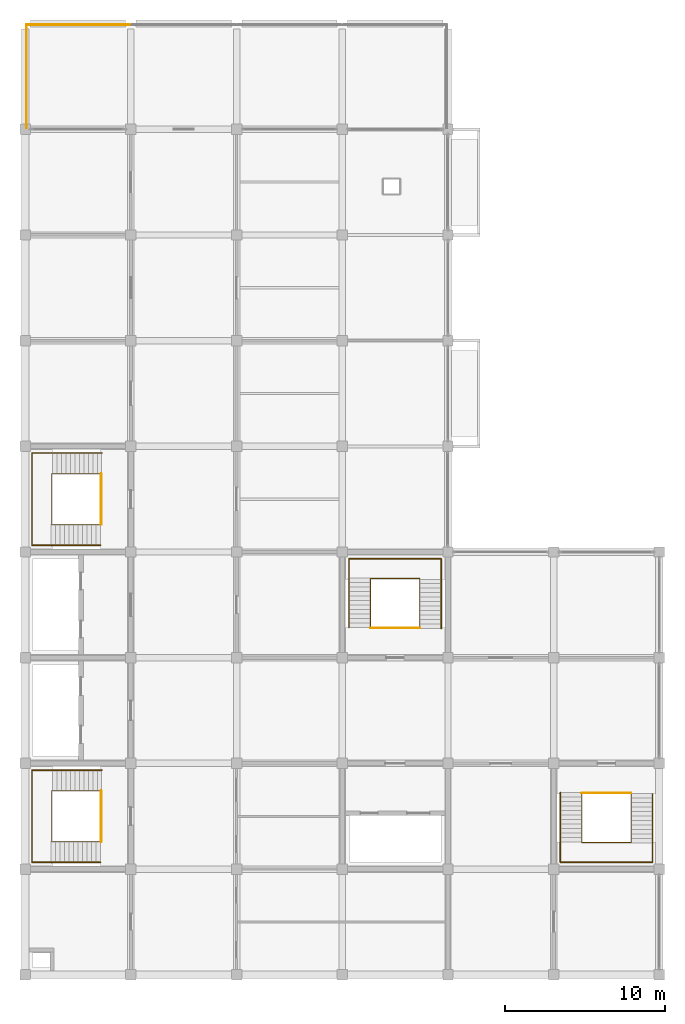
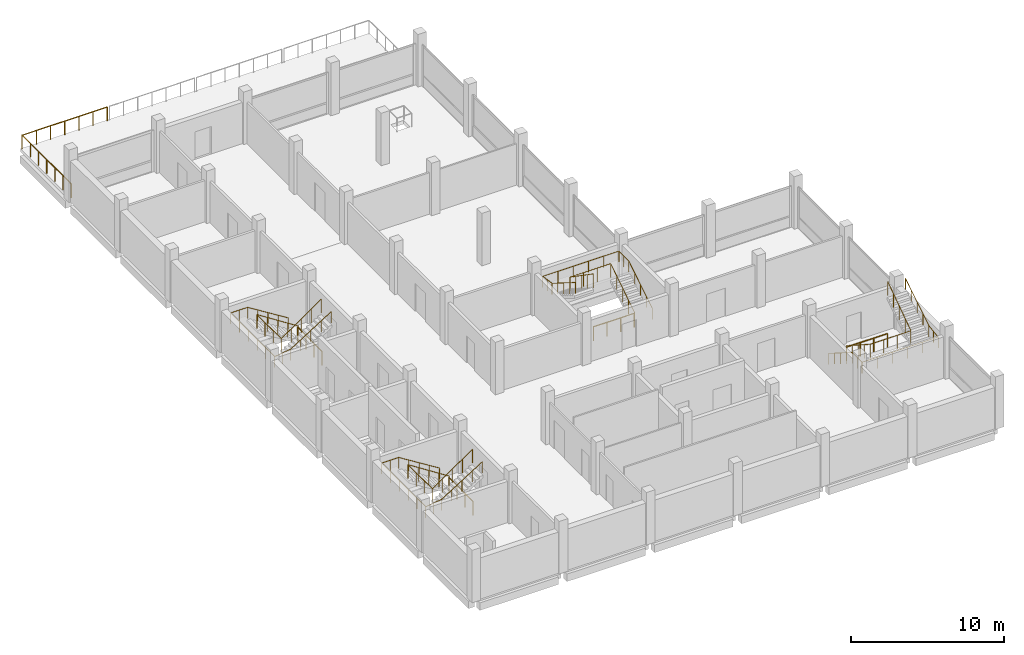
# One storey, part 10 of 11: 14 railings.
"""IFC4 building model written with IfcOpenShell, lengths in metres."""

from ifc_helpers import new_model, si_unit, direction, frame, origin, origin_2d, place, context, subcontext, project, spatial, circle, extrude, material, type_object, element, save


model = new_model("IFC4")

# Units and contexts
model_context = context("Model", 3, precision=1e-05, world=origin(), true_north=direction((0.0, 1.0)))
body_context = subcontext(model_context, "Body", "Model", "MODEL_VIEW")
ifc_project = project(units=[si_unit("LENGTHUNIT", "METRE"), si_unit("AREAUNIT", "SQUARE_METRE"), si_unit("VOLUMEUNIT", "CUBIC_METRE"), si_unit("PLANEANGLEUNIT", "RADIAN"), si_unit("MASSUNIT", "GRAM", prefix="KILO")], contexts=[model_context])

# Site, building, storey
site_placement = place(None, origin())
site = spatial("IfcSite", under=ifc_project, at=site_placement, CompositionType="ELEMENT")
building_placement = place(site_placement, origin())
building = spatial("IfcBuilding", under=site, at=building_placement, Name="Rusizi Kubbe Research Institute", CompositionType="ELEMENT")
storey_placement = place(building_placement, frame((0.0, 0.0, 56.39990234375)))
storey = spatial("IfcBuildingStorey", under=building, at=storey_placement, Name="L13", CompositionType="ELEMENT", Elevation=56.39990234375)

# Railings
ifc_material_1 = material(Name="Architectural Painted Steel Balustrade", Category="steel")
railing_type_1 = type_object("IfcRailingType", Name="GR-EXT", PredefinedType="GUARDRAIL", material=ifc_material_1)
railing_1_placement = place(storey_placement, frame((0.080078125, 59.320068359375, 0.0)))
element("IfcRailing", 1, at=railing_1_placement, inside=storey, type_object=railing_type_1, Name="Roof Terrace Guard L13-01", PredefinedType="GUARDRAIL", context=body_context, shape_type="SweptSolid", body=[
    extrude(circle(Radius=0.02392578125, at=origin_2d()), frame((0.0, 0.0, 1.09619140625), z_axis=(1.0, 0.0, 0.0), x_axis=(0.0, 1.0, 0.0)), (0.0, 0.0, 1.0), 6.43994140625),
    extrude(circle(Radius=0.02099609375, at=origin_2d()), origin(), (0.0, 0.0, 1.0), 1.072021484375),
    extrude(circle(Radius=0.02099609375, at=origin_2d()), frame((1.0732421875, 0.0, 0.0)), (0.0, 0.0, 1.0), 1.072021484375),
    extrude(circle(Radius=0.02099609375, at=origin_2d()), frame((2.146728515625, 0.0, 0.0)), (0.0, 0.0, 1.0), 1.072021484375),
    extrude(circle(Radius=0.02099609375, at=origin_2d()), frame((3.219970703125, 0.0, 0.0)), (0.0, 0.0, 1.0), 1.072021484375),
    extrude(circle(Radius=0.02099609375, at=origin_2d()), frame((4.293212890625, 0.0, 0.0)), (0.0, 0.0, 1.0), 1.072021484375),
    extrude(circle(Radius=0.02099609375, at=origin_2d()), frame((5.36669921875, 0.0, 0.0)), (0.0, 0.0, 1.0), 1.072021484375),
    extrude(circle(Radius=0.02099609375, at=origin_2d()), frame((6.43994140625, 0.0, 0.0)), (0.0, 0.0, 1.0), 1.072021484375),
])
railing_2_placement = place(storey_placement, frame((0.080078125, 52.8798828125, 0.0)))
element("IfcRailing", 2, at=railing_2_placement, inside=storey, type_object=railing_type_1, Name="Roof Terrace Guard L13-02", PredefinedType="GUARDRAIL", context=body_context, shape_type="SweptSolid", body=[
    extrude(circle(Radius=0.02392578125, at=origin_2d()), frame((0.0, 0.0, 1.09619140625), z_axis=(0.0, 1.0, 0.0), x_axis=(-1.0, 0.0, 0.0)), (0.0, 0.0, 1.0), 6.440185546875),
    extrude(circle(Radius=0.02099609375, at=origin_2d()), origin(), (0.0, 0.0, 1.0), 1.072021484375),
    extrude(circle(Radius=0.02099609375, at=origin_2d()), frame((0.0, 1.0732421875, 0.0)), (0.0, 0.0, 1.0), 1.072021484375),
    extrude(circle(Radius=0.02099609375, at=origin_2d()), frame((0.0, 2.146728515625, 0.0)), (0.0, 0.0, 1.0), 1.072021484375),
    extrude(circle(Radius=0.02099609375, at=origin_2d()), frame((0.0, 3.22021484375, 0.0)), (0.0, 0.0, 1.0), 1.072021484375),
    extrude(circle(Radius=0.02099609375, at=origin_2d()), frame((0.0, 4.29345703125, 0.0)), (0.0, 0.0, 1.0), 1.072021484375),
    extrude(circle(Radius=0.02099609375, at=origin_2d()), frame((0.0, 5.36669921875, 0.0)), (0.0, 0.0, 1.0), 1.072021484375),
    extrude(circle(Radius=0.02099609375, at=origin_2d()), frame((0.0, 6.440185546875, 0.0)), (0.0, 0.0, 1.0), 1.072021484375),
])
ifc_material_2 = material(Name="Painted Steel Stair Guard", Category="steel")
railing_type_2 = type_object("IfcRailingType", Name="GR-STAIR", PredefinedType="GUARDRAIL", material=ifc_material_2)
railing_3_placement = place(storey_placement, frame((4.780029296875, 11.489990234375, 0.087646484375)))
element("IfcRailing", 3, at=railing_3_placement, inside=storey, type_object=railing_type_2, Name="Stair Inner Well Guard ST1 L13", PredefinedType="GUARDRAIL", context=body_context, shape_type="SweptSolid", body=[
    extrude(circle(Radius=0.02392578125, at=origin_2d()), frame((0.0, 0.0, 1.09619140625), z_axis=(-0.840361383606, 0.0, 0.542026516828), x_axis=(0.0, -1.0, 0.0)), (0.0, 0.0, 1.0), 3.712890625),
    extrude(circle(Radius=0.02392578125, at=origin_2d()), frame((-3.1201171875, 0.0, 3.1083984375), z_axis=(0.0, -1.0, 0.0), x_axis=(1.0, 0.0, 0.0)), (0.0, 0.0, 1.0), 3.179931640625),
    extrude(circle(Radius=0.02392578125, at=origin_2d()), frame((-3.1201171875, -3.179931640625, 3.1083984375), z_axis=(0.82276741766, 0.0, 0.568378198419), x_axis=(0.0, 1.0, 0.0)), (0.0, 0.0, 1.0), 3.69482421875),
    extrude(circle(Radius=0.02099609375, at=origin_2d()), origin(), (0.0, 0.0, 1.0), 1.072021484375),
    extrude(circle(Radius=0.02099609375, at=origin_2d()), frame((-0.780029296875, 0.0, 0.503173828125)), (0.0, 0.0, 1.0), 1.072021484375),
    extrude(circle(Radius=0.02099609375, at=origin_2d()), frame((-1.56005859375, 0.0, 1.00634765625)), (0.0, 0.0, 1.0), 1.072021484375),
    extrude(circle(Radius=0.02099609375, at=origin_2d()), frame((-2.340087890625, 0.0, 1.50927734375)), (0.0, 0.0, 1.0), 1.072021484375),
    extrude(circle(Radius=0.02099609375, at=origin_2d()), frame((-3.1201171875, 0.0, 2.012451171875)), (0.0, 0.0, 1.0), 1.072021484375),
    extrude(circle(Radius=0.02099609375, at=origin_2d()), frame((-3.1201171875, -1.06005859375, 2.012451171875)), (0.0, 0.0, 1.0), 1.072021484375),
    extrude(circle(Radius=0.02099609375, at=origin_2d()), frame((-3.1201171875, -2.119873046875, 2.012451171875)), (0.0, 0.0, 1.0), 1.072021484375),
    extrude(circle(Radius=0.02099609375, at=origin_2d()), frame((-3.1201171875, -3.179931640625, 2.012451171875)), (0.0, 0.0, 1.0), 1.072021484375),
    extrude(circle(Radius=0.02099609375, at=origin_2d()), frame((-2.360107421875, -3.179931640625, 2.53759765625)), (0.0, 0.0, 1.0), 1.072021484375),
    extrude(circle(Radius=0.02099609375, at=origin_2d()), frame((-1.60009765625, -3.179931640625, 3.0625)), (0.0, 0.0, 1.0), 1.072021484375),
    extrude(circle(Radius=0.02099609375, at=origin_2d()), frame((-0.840087890625, -3.179931640625, 3.58740234375)), (0.0, 0.0, 1.0), 1.072021484375),
    extrude(circle(Radius=0.02099609375, at=origin_2d()), frame((-0.080078125, -3.179931640625, 4.112548828125)), (0.0, 0.0, 1.0), 1.072021484375),
])
railing_4_placement = place(storey_placement, frame((4.75, 11.489990234375, 0.0)))
element("IfcRailing", 4, at=railing_4_placement, inside=storey, type_object=railing_type_2, Name="Stair Floor Edge Guard ST1 L13", PredefinedType="GUARDRAIL", context=body_context, shape_type="SweptSolid", body=[
    extrude(circle(Radius=0.02392578125, at=origin_2d()), frame((0.0, 0.0, 1.09619140625), z_axis=(0.0, -1.0, 0.0), x_axis=(1.0, 0.0, 0.0)), (0.0, 0.0, 1.0), 3.179931640625),
    extrude(circle(Radius=0.02099609375, at=origin_2d()), origin(), (0.0, 0.0, 1.0), 1.072021484375),
    extrude(circle(Radius=0.02099609375, at=origin_2d()), frame((0.0, -1.06005859375, 0.0)), (0.0, 0.0, 1.0), 1.072021484375),
    extrude(circle(Radius=0.02099609375, at=origin_2d()), frame((0.0, -2.119873046875, 0.0)), (0.0, 0.0, 1.0), 1.072021484375),
    extrude(circle(Radius=0.02099609375, at=origin_2d()), frame((0.0, -3.179931640625, 0.0)), (0.0, 0.0, 1.0), 1.072021484375),
])
railing_5_placement = place(storey_placement, frame((4.780029296875, 31.2900390625, 0.087646484375)))
element("IfcRailing", 5, at=railing_5_placement, inside=storey, type_object=railing_type_2, Name="Stair Inner Well Guard ST2 L13", PredefinedType="GUARDRAIL", context=body_context, shape_type="SweptSolid", body=[
    extrude(circle(Radius=0.02392578125, at=origin_2d()), frame((0.0, 0.0, 1.09619140625), z_axis=(-0.840361383606, 0.0, 0.542026516828), x_axis=(0.0, -1.0, 0.0)), (0.0, 0.0, 1.0), 3.712890625),
    extrude(circle(Radius=0.02392578125, at=origin_2d()), frame((-3.1201171875, 0.0, 3.1083984375), z_axis=(0.0, -1.0, 0.0), x_axis=(1.0, 0.0, 0.0)), (0.0, 0.0, 1.0), 3.179931640625),
    extrude(circle(Radius=0.02392578125, at=origin_2d()), frame((-3.1201171875, -3.179931640625, 3.1083984375), z_axis=(0.82276741766, 0.0, 0.568378198419), x_axis=(0.0, 1.0, 0.0)), (0.0, 0.0, 1.0), 3.69482421875),
    extrude(circle(Radius=0.02099609375, at=origin_2d()), origin(), (0.0, 0.0, 1.0), 1.072021484375),
    extrude(circle(Radius=0.02099609375, at=origin_2d()), frame((-0.780029296875, 0.0, 0.503173828125)), (0.0, 0.0, 1.0), 1.072021484375),
    extrude(circle(Radius=0.02099609375, at=origin_2d()), frame((-1.56005859375, 0.0, 1.00634765625)), (0.0, 0.0, 1.0), 1.072021484375),
    extrude(circle(Radius=0.02099609375, at=origin_2d()), frame((-2.340087890625, 0.0, 1.50927734375)), (0.0, 0.0, 1.0), 1.072021484375),
    extrude(circle(Radius=0.02099609375, at=origin_2d()), frame((-3.1201171875, 0.0, 2.012451171875)), (0.0, 0.0, 1.0), 1.072021484375),
    extrude(circle(Radius=0.02099609375, at=origin_2d()), frame((-3.1201171875, -1.06005859375, 2.012451171875)), (0.0, 0.0, 1.0), 1.072021484375),
    extrude(circle(Radius=0.02099609375, at=origin_2d()), frame((-3.1201171875, -2.119873046875, 2.012451171875)), (0.0, 0.0, 1.0), 1.072021484375),
    extrude(circle(Radius=0.02099609375, at=origin_2d()), frame((-3.1201171875, -3.179931640625, 2.012451171875)), (0.0, 0.0, 1.0), 1.072021484375),
    extrude(circle(Radius=0.02099609375, at=origin_2d()), frame((-2.360107421875, -3.179931640625, 2.53759765625)), (0.0, 0.0, 1.0), 1.072021484375),
    extrude(circle(Radius=0.02099609375, at=origin_2d()), frame((-1.60009765625, -3.179931640625, 3.0625)), (0.0, 0.0, 1.0), 1.072021484375),
    extrude(circle(Radius=0.02099609375, at=origin_2d()), frame((-0.840087890625, -3.179931640625, 3.58740234375)), (0.0, 0.0, 1.0), 1.072021484375),
    extrude(circle(Radius=0.02099609375, at=origin_2d()), frame((-0.080078125, -3.179931640625, 4.112548828125)), (0.0, 0.0, 1.0), 1.072021484375),
])
railing_6_placement = place(storey_placement, frame((4.75, 31.2900390625, 0.0)))
element("IfcRailing", 6, at=railing_6_placement, inside=storey, type_object=railing_type_2, Name="Stair Floor Edge Guard ST2 L13", PredefinedType="GUARDRAIL", context=body_context, shape_type="SweptSolid", body=[
    extrude(circle(Radius=0.02392578125, at=origin_2d()), frame((0.0, 0.0, 1.09619140625), z_axis=(0.0, -1.0, 0.0), x_axis=(1.0, 0.0, 0.0)), (0.0, 0.0, 1.0), 3.179931640625),
    extrude(circle(Radius=0.02099609375, at=origin_2d()), origin(), (0.0, 0.0, 1.0), 1.072021484375),
    extrude(circle(Radius=0.02099609375, at=origin_2d()), frame((0.0, -1.06005859375, 0.0)), (0.0, 0.0, 1.0), 1.072021484375),
    extrude(circle(Radius=0.02099609375, at=origin_2d()), frame((0.0, -2.119873046875, 0.0)), (0.0, 0.0, 1.0), 1.072021484375),
    extrude(circle(Radius=0.02099609375, at=origin_2d()), frame((0.0, -3.179931640625, 0.0)), (0.0, 0.0, 1.0), 1.072021484375),
])
railing_7_placement = place(storey_placement, frame((24.639892578125, 21.6201171875, 0.087646484375)))
element("IfcRailing", 7, at=railing_7_placement, inside=storey, type_object=railing_type_2, Name="Stair Inner Well Guard ST3 L13", PredefinedType="GUARDRAIL", context=body_context, shape_type="SweptSolid", body=[
    extrude(circle(Radius=0.02392578125, at=origin_2d()), frame((0.0, 0.0, 1.09619140625), z_axis=(0.0, 0.840342063375, 0.542056469865), x_axis=(-1.0, 0.0, 0.0)), (0.0, 0.0, 1.0), 3.712646484375),
    extrude(circle(Radius=0.02392578125, at=origin_2d()), frame((0.0, 3.119873046875, 3.1083984375), z_axis=(-1.0, 0.0, 0.0), x_axis=(0.0, -1.0, 0.0)), (0.0, 0.0, 1.0), 3.079833984375),
    extrude(circle(Radius=0.02392578125, at=origin_2d()), frame((-3.079833984375, 3.119873046875, 3.1083984375), z_axis=(0.0, -0.82276741766, 0.568378198419), x_axis=(1.0, 0.0, 0.0)), (0.0, 0.0, 1.0), 3.69482421875),
    extrude(circle(Radius=0.02099609375, at=origin_2d()), origin(), (0.0, 0.0, 1.0), 1.072021484375),
    extrude(circle(Radius=0.02099609375, at=origin_2d()), frame((0.0, 0.780029296875, 0.503173828125)), (0.0, 0.0, 1.0), 1.072021484375),
    extrude(circle(Radius=0.02099609375, at=origin_2d()), frame((0.0, 1.56005859375, 1.00634765625)), (0.0, 0.0, 1.0), 1.072021484375),
    extrude(circle(Radius=0.02099609375, at=origin_2d()), frame((0.0, 2.33984375, 1.50927734375)), (0.0, 0.0, 1.0), 1.072021484375),
    extrude(circle(Radius=0.02099609375, at=origin_2d()), frame((0.0, 3.119873046875, 2.012451171875)), (0.0, 0.0, 1.0), 1.072021484375),
    extrude(circle(Radius=0.02099609375, at=origin_2d()), frame((-1.026611328125, 3.119873046875, 2.012451171875)), (0.0, 0.0, 1.0), 1.072021484375),
    extrude(circle(Radius=0.02099609375, at=origin_2d()), frame((-2.05322265625, 3.119873046875, 2.012451171875)), (0.0, 0.0, 1.0), 1.072021484375),
    extrude(circle(Radius=0.02099609375, at=origin_2d()), frame((-3.079833984375, 3.119873046875, 2.012451171875)), (0.0, 0.0, 1.0), 1.072021484375),
    extrude(circle(Radius=0.02099609375, at=origin_2d()), frame((-3.079833984375, 2.35986328125, 2.53759765625)), (0.0, 0.0, 1.0), 1.072021484375),
    extrude(circle(Radius=0.02099609375, at=origin_2d()), frame((-3.079833984375, 1.599853515625, 3.0625)), (0.0, 0.0, 1.0), 1.072021484375),
    extrude(circle(Radius=0.02099609375, at=origin_2d()), frame((-3.079833984375, 0.83984375, 3.58740234375)), (0.0, 0.0, 1.0), 1.072021484375),
    extrude(circle(Radius=0.02099609375, at=origin_2d()), frame((-3.079833984375, 0.079833984375, 4.112548828125)), (0.0, 0.0, 1.0), 1.072021484375),
])
railing_8_placement = place(storey_placement, frame((24.639892578125, 21.64990234375, 0.0)))
element("IfcRailing", 8, at=railing_8_placement, inside=storey, type_object=railing_type_2, Name="Stair Floor Edge Guard ST3 L13", PredefinedType="GUARDRAIL", context=body_context, shape_type="SweptSolid", body=[
    extrude(circle(Radius=0.02392578125, at=origin_2d()), frame((0.0, 0.0, 1.09619140625), z_axis=(-1.0, 0.0, 0.0), x_axis=(0.0, -1.0, 0.0)), (0.0, 0.0, 1.0), 3.079833984375),
    extrude(circle(Radius=0.02099609375, at=origin_2d()), origin(), (0.0, 0.0, 1.0), 1.072021484375),
    extrude(circle(Radius=0.02099609375, at=origin_2d()), frame((-1.026611328125, 0.0, 0.0)), (0.0, 0.0, 1.0), 1.072021484375),
    extrude(circle(Radius=0.02099609375, at=origin_2d()), frame((-2.05322265625, 0.0, 0.0)), (0.0, 0.0, 1.0), 1.072021484375),
    extrude(circle(Radius=0.02099609375, at=origin_2d()), frame((-3.079833984375, 0.0, 0.0)), (0.0, 0.0, 1.0), 1.072021484375),
])
railing_9_placement = place(storey_placement, frame((34.760009765625, 11.3798828125, 0.087646484375)))
element("IfcRailing", 9, at=railing_9_placement, inside=storey, type_object=railing_type_2, Name="Stair Inner Well Guard ST4 L13", PredefinedType="GUARDRAIL", context=body_context, shape_type="SweptSolid", body=[
    extrude(circle(Radius=0.02392578125, at=origin_2d()), frame((0.0, 0.0, 1.09619140625), z_axis=(0.0, -0.840342063375, 0.542056469865), x_axis=(1.0, 0.0, 0.0)), (0.0, 0.0, 1.0), 3.712646484375),
    extrude(circle(Radius=0.02392578125, at=origin_2d()), frame((0.0, -3.119873046875, 3.1083984375), z_axis=(1.0, 0.0, 0.0), x_axis=(0.0, 1.0, 0.0)), (0.0, 0.0, 1.0), 3.080078125),
    extrude(circle(Radius=0.02392578125, at=origin_2d()), frame((3.080078125, -3.119873046875, 3.1083984375), z_axis=(0.0, 0.82276741766, 0.568378198419), x_axis=(-1.0, 0.0, 0.0)), (0.0, 0.0, 1.0), 3.69482421875),
    extrude(circle(Radius=0.02099609375, at=origin_2d()), origin(), (0.0, 0.0, 1.0), 1.072021484375),
    extrude(circle(Radius=0.02099609375, at=origin_2d()), frame((0.0, -0.780029296875, 0.503173828125)), (0.0, 0.0, 1.0), 1.072021484375),
    extrude(circle(Radius=0.02099609375, at=origin_2d()), frame((0.0, -1.56005859375, 1.00634765625)), (0.0, 0.0, 1.0), 1.072021484375),
    extrude(circle(Radius=0.02099609375, at=origin_2d()), frame((0.0, -2.33984375, 1.50927734375)), (0.0, 0.0, 1.0), 1.072021484375),
    extrude(circle(Radius=0.02099609375, at=origin_2d()), frame((0.0, -3.119873046875, 2.012451171875)), (0.0, 0.0, 1.0), 1.072021484375),
    extrude(circle(Radius=0.02099609375, at=origin_2d()), frame((1.026611328125, -3.119873046875, 2.012451171875)), (0.0, 0.0, 1.0), 1.072021484375),
    extrude(circle(Radius=0.02099609375, at=origin_2d()), frame((2.053466796875, -3.119873046875, 2.012451171875)), (0.0, 0.0, 1.0), 1.072021484375),
    extrude(circle(Radius=0.02099609375, at=origin_2d()), frame((3.080078125, -3.119873046875, 2.012451171875)), (0.0, 0.0, 1.0), 1.072021484375),
    extrude(circle(Radius=0.02099609375, at=origin_2d()), frame((3.080078125, -2.35986328125, 2.53759765625)), (0.0, 0.0, 1.0), 1.072021484375),
    extrude(circle(Radius=0.02099609375, at=origin_2d()), frame((3.080078125, -1.599853515625, 3.0625)), (0.0, 0.0, 1.0), 1.072021484375),
    extrude(circle(Radius=0.02099609375, at=origin_2d()), frame((3.080078125, -0.83984375, 3.58740234375)), (0.0, 0.0, 1.0), 1.072021484375),
    extrude(circle(Radius=0.02099609375, at=origin_2d()), frame((3.080078125, -0.079833984375, 4.112548828125)), (0.0, 0.0, 1.0), 1.072021484375),
])
railing_10_placement = place(storey_placement, frame((34.760009765625, 11.35009765625, 0.0)))
element("IfcRailing", 10, at=railing_10_placement, inside=storey, type_object=railing_type_2, Name="Stair Floor Edge Guard ST4 L13", PredefinedType="GUARDRAIL", context=body_context, shape_type="SweptSolid", body=[
    extrude(circle(Radius=0.02392578125, at=origin_2d()), frame((0.0, 0.0, 1.09619140625), z_axis=(1.0, 0.0, 0.0), x_axis=(0.0, 1.0, 0.0)), (0.0, 0.0, 1.0), 3.080078125),
    extrude(circle(Radius=0.02099609375, at=origin_2d()), origin(), (0.0, 0.0, 1.0), 1.072021484375),
    extrude(circle(Radius=0.02099609375, at=origin_2d()), frame((1.026611328125, 0.0, 0.0)), (0.0, 0.0, 1.0), 1.072021484375),
    extrude(circle(Radius=0.02099609375, at=origin_2d()), frame((2.053466796875, 0.0, 0.0)), (0.0, 0.0, 1.0), 1.072021484375),
    extrude(circle(Radius=0.02099609375, at=origin_2d()), frame((3.080078125, 0.0, 0.0)), (0.0, 0.0, 1.0), 1.072021484375),
])
ifc_material_3 = material(Name="Brushed Stainless Steel Handrail", Category="steel")
railing_type_3 = type_object("IfcRailingType", Name="HR-STAIR", PredefinedType="HANDRAIL", material=ifc_material_3)
railing_11_placement = place(storey_placement, frame((4.780029296875, 12.780029296875, 0.175048828125)))
element("IfcRailing", 11, at=railing_11_placement, inside=storey, type_object=railing_type_3, Name="Stair Wall Handrail ST1 L13", PredefinedType="HANDRAIL", context=body_context, shape_type="SweptSolid", body=[
    extrude(circle(Radius=0.02392578125, at=origin_2d()), frame((0.0, 0.0, 0.8759765625), z_axis=(-0.847998304005, 0.0, 0.529998940003), x_axis=(0.0, -1.0, 0.0)), (0.0, 0.0, 1.0), 3.632080078125),
    extrude(circle(Radius=0.02392578125, at=origin_2d()), frame((-3.080078125, 0.0, 2.80078125), z_axis=(-1.0, 0.0, 0.0), x_axis=(0.0, -1.0, 0.0)), (0.0, 0.0, 1.0), 1.280029296875),
    extrude(circle(Radius=0.02392578125, at=origin_2d()), frame((-4.360107421875, 0.0, 2.80078125), z_axis=(0.0, -1.0, 0.0), x_axis=(1.0, 0.0, 0.0)), (0.0, 0.0, 1.0), 5.760009765625),
    extrude(circle(Radius=0.02392578125, at=origin_2d()), frame((-4.360107421875, -5.760009765625, 2.80078125), z_axis=(0.989630492691, 0.0, 0.143636652482), x_axis=(0.0, 1.0, 0.0)), (0.0, 0.0, 1.0), 1.21875),
    extrude(circle(Radius=0.02392578125, at=origin_2d()), frame((-3.154052734375, -5.760009765625, 2.97607421875), z_axis=(0.847525270172, 0.0, 0.530755043706), x_axis=(0.0, 1.0, 0.0)), (0.0, 0.0, 1.0), 3.626953125),
    extrude(circle(Radius=0.02099609375, at=origin_2d()), origin(), (0.0, 0.0, 1.0), 0.851806640625),
    extrude(circle(Radius=0.02099609375, at=origin_2d()), frame((-0.77001953125, 0.0, 0.481201171875)), (0.0, 0.0, 1.0), 0.851806640625),
    extrude(circle(Radius=0.02099609375, at=origin_2d()), frame((-1.5400390625, 0.0, 0.96240234375)), (0.0, 0.0, 1.0), 0.851806640625),
    extrude(circle(Radius=0.02099609375, at=origin_2d()), frame((-2.31005859375, 0.0, 1.44384765625)), (0.0, 0.0, 1.0), 0.851806640625),
    extrude(circle(Radius=0.02099609375, at=origin_2d()), frame((-3.080078125, 0.0, 1.925048828125)), (0.0, 0.0, 1.0), 0.851806640625),
    extrude(circle(Radius=0.02099609375, at=origin_2d()), frame((-3.72021484375, 0.0, 1.925048828125)), (0.0, 0.0, 1.0), 0.851806640625),
    extrude(circle(Radius=0.02099609375, at=origin_2d()), frame((-4.360107421875, 0.0, 1.925048828125)), (0.0, 0.0, 1.0), 0.851806640625),
    extrude(circle(Radius=0.02099609375, at=origin_2d()), frame((-4.360107421875, -1.152099609375, 1.925048828125)), (0.0, 0.0, 1.0), 0.851806640625),
    extrude(circle(Radius=0.02099609375, at=origin_2d()), frame((-4.360107421875, -2.303955078125, 1.925048828125)), (0.0, 0.0, 1.0), 0.851806640625),
    extrude(circle(Radius=0.02099609375, at=origin_2d()), frame((-4.360107421875, -3.4560546875, 1.925048828125)), (0.0, 0.0, 1.0), 0.851806640625),
    extrude(circle(Radius=0.02099609375, at=origin_2d()), frame((-4.360107421875, -4.60791015625, 1.925048828125)), (0.0, 0.0, 1.0), 0.851806640625),
    extrude(circle(Radius=0.02099609375, at=origin_2d()), frame((-4.360107421875, -5.760009765625, 1.925048828125)), (0.0, 0.0, 1.0), 0.851806640625),
    extrude(circle(Radius=0.02099609375, at=origin_2d()), frame((-3.757080078125, -5.760009765625, 2.0126953125)), (0.0, 0.0, 1.0), 0.851806640625),
    extrude(circle(Radius=0.02099609375, at=origin_2d()), frame((-3.154052734375, -5.760009765625, 2.10009765625)), (0.0, 0.0, 1.0), 0.851806640625),
    extrude(circle(Radius=0.02099609375, at=origin_2d()), frame((-2.385498046875, -5.760009765625, 2.581298828125)), (0.0, 0.0, 1.0), 0.851806640625),
    extrude(circle(Radius=0.02099609375, at=origin_2d()), frame((-1.6171875, -5.760009765625, 3.0625)), (0.0, 0.0, 1.0), 0.851806640625),
    extrude(circle(Radius=0.02099609375, at=origin_2d()), frame((-0.8486328125, -5.760009765625, 3.5439453125)), (0.0, 0.0, 1.0), 0.851806640625),
    extrude(circle(Radius=0.02099609375, at=origin_2d()), frame((-0.080078125, -5.760009765625, 4.025146484375)), (0.0, 0.0, 1.0), 0.851806640625),
])
railing_12_placement = place(storey_placement, frame((4.780029296875, 32.580078125, 0.175048828125)))
element("IfcRailing", 12, at=railing_12_placement, inside=storey, type_object=railing_type_3, Name="Stair Wall Handrail ST2 L13", PredefinedType="HANDRAIL", context=body_context, shape_type="SweptSolid", body=[
    extrude(circle(Radius=0.02392578125, at=origin_2d()), frame((0.0, 0.0, 0.8759765625), z_axis=(-0.847998304005, 0.0, 0.529998940003), x_axis=(0.0, -1.0, 0.0)), (0.0, 0.0, 1.0), 3.632080078125),
    extrude(circle(Radius=0.02392578125, at=origin_2d()), frame((-3.080078125, 0.0, 2.80078125), z_axis=(-1.0, 0.0, 0.0), x_axis=(0.0, -1.0, 0.0)), (0.0, 0.0, 1.0), 1.280029296875),
    extrude(circle(Radius=0.02392578125, at=origin_2d()), frame((-4.360107421875, 0.0, 2.80078125), z_axis=(0.0, -1.0, 0.0), x_axis=(1.0, 0.0, 0.0)), (0.0, 0.0, 1.0), 5.760009765625),
    extrude(circle(Radius=0.02392578125, at=origin_2d()), frame((-4.360107421875, -5.760009765625, 2.80078125), z_axis=(0.989630492691, 0.0, 0.143636652482), x_axis=(0.0, 1.0, 0.0)), (0.0, 0.0, 1.0), 1.21875),
    extrude(circle(Radius=0.02392578125, at=origin_2d()), frame((-3.154052734375, -5.760009765625, 2.97607421875), z_axis=(0.847525270172, 0.0, 0.530755043706), x_axis=(0.0, 1.0, 0.0)), (0.0, 0.0, 1.0), 3.626953125),
    extrude(circle(Radius=0.02099609375, at=origin_2d()), origin(), (0.0, 0.0, 1.0), 0.851806640625),
    extrude(circle(Radius=0.02099609375, at=origin_2d()), frame((-0.77001953125, 0.0, 0.481201171875)), (0.0, 0.0, 1.0), 0.851806640625),
    extrude(circle(Radius=0.02099609375, at=origin_2d()), frame((-1.5400390625, 0.0, 0.96240234375)), (0.0, 0.0, 1.0), 0.851806640625),
    extrude(circle(Radius=0.02099609375, at=origin_2d()), frame((-2.31005859375, 0.0, 1.44384765625)), (0.0, 0.0, 1.0), 0.851806640625),
    extrude(circle(Radius=0.02099609375, at=origin_2d()), frame((-3.080078125, 0.0, 1.925048828125)), (0.0, 0.0, 1.0), 0.851806640625),
    extrude(circle(Radius=0.02099609375, at=origin_2d()), frame((-3.72021484375, 0.0, 1.925048828125)), (0.0, 0.0, 1.0), 0.851806640625),
    extrude(circle(Radius=0.02099609375, at=origin_2d()), frame((-4.360107421875, 0.0, 1.925048828125)), (0.0, 0.0, 1.0), 0.851806640625),
    extrude(circle(Radius=0.02099609375, at=origin_2d()), frame((-4.360107421875, -1.152099609375, 1.925048828125)), (0.0, 0.0, 1.0), 0.851806640625),
    extrude(circle(Radius=0.02099609375, at=origin_2d()), frame((-4.360107421875, -2.303955078125, 1.925048828125)), (0.0, 0.0, 1.0), 0.851806640625),
    extrude(circle(Radius=0.02099609375, at=origin_2d()), frame((-4.360107421875, -3.4560546875, 1.925048828125)), (0.0, 0.0, 1.0), 0.851806640625),
    extrude(circle(Radius=0.02099609375, at=origin_2d()), frame((-4.360107421875, -4.60791015625, 1.925048828125)), (0.0, 0.0, 1.0), 0.851806640625),
    extrude(circle(Radius=0.02099609375, at=origin_2d()), frame((-4.360107421875, -5.760009765625, 1.925048828125)), (0.0, 0.0, 1.0), 0.851806640625),
    extrude(circle(Radius=0.02099609375, at=origin_2d()), frame((-3.757080078125, -5.760009765625, 2.0126953125)), (0.0, 0.0, 1.0), 0.851806640625),
    extrude(circle(Radius=0.02099609375, at=origin_2d()), frame((-3.154052734375, -5.760009765625, 2.10009765625)), (0.0, 0.0, 1.0), 0.851806640625),
    extrude(circle(Radius=0.02099609375, at=origin_2d()), frame((-2.385498046875, -5.760009765625, 2.581298828125)), (0.0, 0.0, 1.0), 0.851806640625),
    extrude(circle(Radius=0.02099609375, at=origin_2d()), frame((-1.6171875, -5.760009765625, 3.0625)), (0.0, 0.0, 1.0), 0.851806640625),
    extrude(circle(Radius=0.02099609375, at=origin_2d()), frame((-0.8486328125, -5.760009765625, 3.5439453125)), (0.0, 0.0, 1.0), 0.851806640625),
    extrude(circle(Radius=0.02099609375, at=origin_2d()), frame((-0.080078125, -5.760009765625, 4.025146484375)), (0.0, 0.0, 1.0), 0.851806640625),
])
railing_13_placement = place(storey_placement, frame((25.97998046875, 21.6201171875, 0.175048828125)))
element("IfcRailing", 13, at=railing_13_placement, inside=storey, type_object=railing_type_3, Name="Stair Wall Handrail ST3 L13", PredefinedType="HANDRAIL", context=body_context, shape_type="SweptSolid", body=[
    extrude(circle(Radius=0.02392578125, at=origin_2d()), frame((0.0, 0.0, 0.8759765625), z_axis=(0.0, 0.847979421464, 0.530029150871), x_axis=(-1.0, 0.0, 0.0)), (0.0, 0.0, 1.0), 3.632080078125),
    extrude(circle(Radius=0.02392578125, at=origin_2d()), frame((0.0, 3.079833984375, 2.80078125), z_axis=(0.0, 1.0, 0.0), x_axis=(-1.0, 0.0, 0.0)), (0.0, 0.0, 1.0), 1.280029296875),
    extrude(circle(Radius=0.02392578125, at=origin_2d()), frame((0.0, 4.35986328125, 2.80078125), z_axis=(-1.0, 0.0, 0.0), x_axis=(0.0, -1.0, 0.0)), (0.0, 0.0, 1.0), 5.760009765625),
    extrude(circle(Radius=0.02392578125, at=origin_2d()), frame((-5.760009765625, 4.35986328125, 2.80078125), z_axis=(0.0, -0.989630492691, 0.143636652482), x_axis=(1.0, 0.0, 0.0)), (0.0, 0.0, 1.0), 1.21875),
    extrude(circle(Radius=0.02392578125, at=origin_2d()), frame((-5.760009765625, 3.15380859375, 2.97607421875), z_axis=(0.0, -0.847525270172, 0.530755043706), x_axis=(1.0, 0.0, 0.0)), (0.0, 0.0, 1.0), 3.626953125),
    extrude(circle(Radius=0.02099609375, at=origin_2d()), origin(), (0.0, 0.0, 1.0), 0.851806640625),
    extrude(circle(Radius=0.02099609375, at=origin_2d()), frame((0.0, 0.77001953125, 0.481201171875)), (0.0, 0.0, 1.0), 0.851806640625),
    extrude(circle(Radius=0.02099609375, at=origin_2d()), frame((0.0, 1.5400390625, 0.96240234375)), (0.0, 0.0, 1.0), 0.851806640625),
    extrude(circle(Radius=0.02099609375, at=origin_2d()), frame((0.0, 2.309814453125, 1.44384765625)), (0.0, 0.0, 1.0), 0.851806640625),
    extrude(circle(Radius=0.02099609375, at=origin_2d()), frame((0.0, 3.079833984375, 1.925048828125)), (0.0, 0.0, 1.0), 0.851806640625),
    extrude(circle(Radius=0.02099609375, at=origin_2d()), frame((0.0, 3.7197265625, 1.925048828125)), (0.0, 0.0, 1.0), 0.851806640625),
    extrude(circle(Radius=0.02099609375, at=origin_2d()), frame((0.0, 4.35986328125, 1.925048828125)), (0.0, 0.0, 1.0), 0.851806640625),
    extrude(circle(Radius=0.02099609375, at=origin_2d()), frame((-1.152099609375, 4.35986328125, 1.925048828125)), (0.0, 0.0, 1.0), 0.851806640625),
    extrude(circle(Radius=0.02099609375, at=origin_2d()), frame((-2.303955078125, 4.35986328125, 1.925048828125)), (0.0, 0.0, 1.0), 0.851806640625),
    extrude(circle(Radius=0.02099609375, at=origin_2d()), frame((-3.4560546875, 4.35986328125, 1.925048828125)), (0.0, 0.0, 1.0), 0.851806640625),
    extrude(circle(Radius=0.02099609375, at=origin_2d()), frame((-4.60791015625, 4.35986328125, 1.925048828125)), (0.0, 0.0, 1.0), 0.851806640625),
    extrude(circle(Radius=0.02099609375, at=origin_2d()), frame((-5.760009765625, 4.35986328125, 1.925048828125)), (0.0, 0.0, 1.0), 0.851806640625),
    extrude(circle(Radius=0.02099609375, at=origin_2d()), frame((-5.760009765625, 3.7568359375, 2.0126953125)), (0.0, 0.0, 1.0), 0.851806640625),
    extrude(circle(Radius=0.02099609375, at=origin_2d()), frame((-5.760009765625, 3.15380859375, 2.10009765625)), (0.0, 0.0, 1.0), 0.851806640625),
    extrude(circle(Radius=0.02099609375, at=origin_2d()), frame((-5.760009765625, 2.38525390625, 2.581298828125)), (0.0, 0.0, 1.0), 0.851806640625),
    extrude(circle(Radius=0.02099609375, at=origin_2d()), frame((-5.760009765625, 1.61669921875, 3.0625)), (0.0, 0.0, 1.0), 0.851806640625),
    extrude(circle(Radius=0.02099609375, at=origin_2d()), frame((-5.760009765625, 0.848388671875, 3.5439453125)), (0.0, 0.0, 1.0), 0.851806640625),
    extrude(circle(Radius=0.02099609375, at=origin_2d()), frame((-5.760009765625, 0.079833984375, 4.025146484375)), (0.0, 0.0, 1.0), 0.851806640625),
])
railing_14_placement = place(storey_placement, frame((33.419921875, 11.3798828125, 0.175048828125)))
element("IfcRailing", 14, at=railing_14_placement, inside=storey, type_object=railing_type_3, Name="Stair Wall Handrail ST4 L13", PredefinedType="HANDRAIL", context=body_context, shape_type="SweptSolid", body=[
    extrude(circle(Radius=0.02392578125, at=origin_2d()), frame((0.0, 0.0, 0.8759765625), z_axis=(0.0, -0.847979421464, 0.530029150871), x_axis=(1.0, 0.0, 0.0)), (0.0, 0.0, 1.0), 3.632080078125),
    extrude(circle(Radius=0.02392578125, at=origin_2d()), frame((0.0, -3.079833984375, 2.80078125), z_axis=(0.0, -1.0, 0.0), x_axis=(1.0, 0.0, 0.0)), (0.0, 0.0, 1.0), 1.280029296875),
    extrude(circle(Radius=0.02392578125, at=origin_2d()), frame((0.0, -4.35986328125, 2.80078125), z_axis=(1.0, 0.0, 0.0), x_axis=(0.0, 1.0, 0.0)), (0.0, 0.0, 1.0), 5.760009765625),
    extrude(circle(Radius=0.02392578125, at=origin_2d()), frame((5.760009765625, -4.35986328125, 2.80078125), z_axis=(0.0, 0.989630492691, 0.143636652482), x_axis=(-1.0, 0.0, 0.0)), (0.0, 0.0, 1.0), 1.21875),
    extrude(circle(Radius=0.02392578125, at=origin_2d()), frame((5.760009765625, -3.15380859375, 2.97607421875), z_axis=(0.0, 0.847525270172, 0.530755043706), x_axis=(-1.0, 0.0, 0.0)), (0.0, 0.0, 1.0), 3.626953125),
    extrude(circle(Radius=0.02099609375, at=origin_2d()), origin(), (0.0, 0.0, 1.0), 0.851806640625),
    extrude(circle(Radius=0.02099609375, at=origin_2d()), frame((0.0, -0.77001953125, 0.481201171875)), (0.0, 0.0, 1.0), 0.851806640625),
    extrude(circle(Radius=0.02099609375, at=origin_2d()), frame((0.0, -1.5400390625, 0.96240234375)), (0.0, 0.0, 1.0), 0.851806640625),
    extrude(circle(Radius=0.02099609375, at=origin_2d()), frame((0.0, -2.309814453125, 1.44384765625)), (0.0, 0.0, 1.0), 0.851806640625),
    extrude(circle(Radius=0.02099609375, at=origin_2d()), frame((0.0, -3.079833984375, 1.925048828125)), (0.0, 0.0, 1.0), 0.851806640625),
    extrude(circle(Radius=0.02099609375, at=origin_2d()), frame((0.0, -3.7197265625, 1.925048828125)), (0.0, 0.0, 1.0), 0.851806640625),
    extrude(circle(Radius=0.02099609375, at=origin_2d()), frame((0.0, -4.35986328125, 1.925048828125)), (0.0, 0.0, 1.0), 0.851806640625),
    extrude(circle(Radius=0.02099609375, at=origin_2d()), frame((1.152099609375, -4.35986328125, 1.925048828125)), (0.0, 0.0, 1.0), 0.851806640625),
    extrude(circle(Radius=0.02099609375, at=origin_2d()), frame((2.303955078125, -4.35986328125, 1.925048828125)), (0.0, 0.0, 1.0), 0.851806640625),
    extrude(circle(Radius=0.02099609375, at=origin_2d()), frame((3.4560546875, -4.35986328125, 1.925048828125)), (0.0, 0.0, 1.0), 0.851806640625),
    extrude(circle(Radius=0.02099609375, at=origin_2d()), frame((4.60791015625, -4.35986328125, 1.925048828125)), (0.0, 0.0, 1.0), 0.851806640625),
    extrude(circle(Radius=0.02099609375, at=origin_2d()), frame((5.760009765625, -4.35986328125, 1.925048828125)), (0.0, 0.0, 1.0), 0.851806640625),
    extrude(circle(Radius=0.02099609375, at=origin_2d()), frame((5.760009765625, -3.7568359375, 2.0126953125)), (0.0, 0.0, 1.0), 0.851806640625),
    extrude(circle(Radius=0.02099609375, at=origin_2d()), frame((5.760009765625, -3.15380859375, 2.10009765625)), (0.0, 0.0, 1.0), 0.851806640625),
    extrude(circle(Radius=0.02099609375, at=origin_2d()), frame((5.760009765625, -2.38525390625, 2.581298828125)), (0.0, 0.0, 1.0), 0.851806640625),
    extrude(circle(Radius=0.02099609375, at=origin_2d()), frame((5.760009765625, -1.61669921875, 3.0625)), (0.0, 0.0, 1.0), 0.851806640625),
    extrude(circle(Radius=0.02099609375, at=origin_2d()), frame((5.760009765625, -0.848388671875, 3.5439453125)), (0.0, 0.0, 1.0), 0.851806640625),
    extrude(circle(Radius=0.02099609375, at=origin_2d()), frame((5.760009765625, -0.079833984375, 4.025146484375)), (0.0, 0.0, 1.0), 0.851806640625),
])

save(model, "model.ifc")
